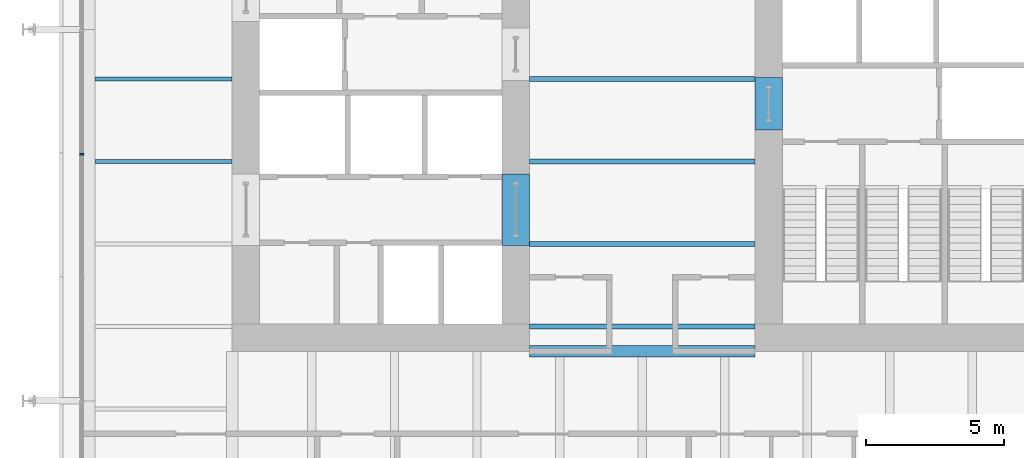
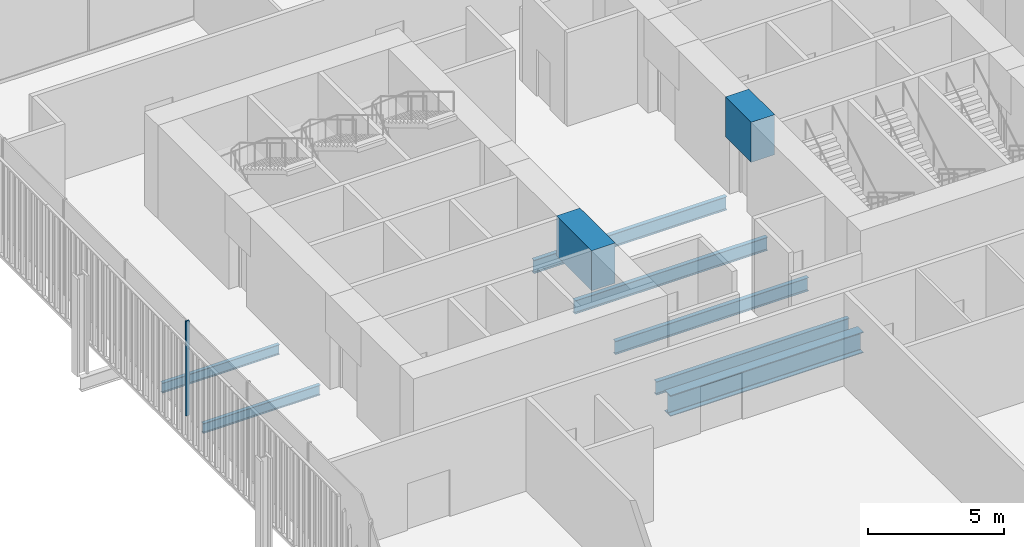
# One storey, part 7 of 20: 9 beams, 1 member, 1 element without a shape of its own.
"""IFC4 building model written with IfcOpenShell, lengths in metres."""

import ifcopenshell
import ifcopenshell.guid

model = None  # the IFC model being written
_history = None  # IfcOwnerHistory: only IFC2X3 demands one
_inside = {}  # id of a spatial element -> (the spatial element, [elements in it])
_under = {}  # id of a project, library or spatial element -> (it, [spatial elements below it])
_declared = {}  # id of a project -> (the project, [libraries it declares])
_typed = {}  # id of a type object -> (the type object, [elements of that type])
_made_of = {}  # id of a material, layer set ... -> (it, [elements and type objects made of it])


def new_model(schema):
    """Start an empty IFC model of exactly this schema.

    Asked for "IFC4X3", IfcOpenShell would pick the latest addendum, in which some entities
    have other attributes; the version numbers below select the first issue.
    IFC2X3 requires an IfcOwnerHistory on every rooted entity: one is made here for all.
    """
    global model, _history
    if schema == "IFC4X3":
        model = ifcopenshell.file(schema_version=(4, 3, 0, 0))
    else:
        model = ifcopenshell.file(schema=schema)
    _inside.clear()
    _under.clear()
    _declared.clear()
    _typed.clear()
    _made_of.clear()
    _history = None
    if model.schema == "IFC2X3":
        org = make("IfcOrganization", Name="unknown")
        user = make(
            "IfcPersonAndOrganization",
            ThePerson=make("IfcPerson", FamilyName="unknown"),
            TheOrganization=org,
        )
        app = make(
            "IfcApplication",
            ApplicationDeveloper=org,
            Version="unknown",
            ApplicationFullName="unknown",
            ApplicationIdentifier="unknown",
        )
        _history = make(
            "IfcOwnerHistory",
            OwningUser=user,
            OwningApplication=app,
            ChangeAction="ADDED",
            CreationDate=0,
        )
    return model


def make(cls, **values):
    """One entity of the class cls with the attributes given. An attribute that is None is left unset."""
    return model.create_entity(
        cls, **{name: value for name, value in values.items() if value is not None}
    )


def rooted(cls, **values):
    """An entity with a GlobalId (a new one), such as an element, a storey or a relation."""
    return make(cls, GlobalId=ifcopenshell.guid.new(), OwnerHistory=_history, **values)


def si_unit(unit_type, name, prefix=None):
    """IfcSIUnit, for example si_unit("LENGTHUNIT", "METRE", prefix="MILLI")."""
    return make("IfcSIUnit", UnitType=unit_type, Prefix=prefix, Name=name)


def assignment(units):
    """IfcUnitAssignment: the units of a project."""
    return None if units is None else make("IfcUnitAssignment", Units=units)


def point(xyz):
    """IfcCartesianPoint."""
    return None if xyz is None else make("IfcCartesianPoint", Coordinates=xyz)


def direction(xyz):
    """IfcDirection."""
    return None if xyz is None else make("IfcDirection", DirectionRatios=xyz)


def frame(location, z_axis=None, x_axis=None):
    """IfcAxis2Placement3D, a coordinate frame: its origin and axes. An axis left out is left unset."""
    return make(
        "IfcAxis2Placement3D",
        Location=point(location),
        Axis=direction(z_axis),
        RefDirection=direction(x_axis),
    )


def frame_2d(location, x_axis=None):
    """IfcAxis2Placement2D, a coordinate frame in the plane: its origin and x axis."""
    return make(
        "IfcAxis2Placement2D", Location=point(location), RefDirection=direction(x_axis)
    )


def origin():
    """The frame at (0, 0, 0) with its axes left unset."""
    return frame((0.0, 0.0, 0.0))


def origin_2d():
    """The frame at (0, 0) in the plane with its x axis left unset."""
    return frame_2d((0.0, 0.0))


def place(relative_to, where):
    """IfcLocalPlacement: puts the frame where relative to a parent placement (None: the world)."""
    return make(
        "IfcLocalPlacement", PlacementRelTo=relative_to, RelativePlacement=where
    )


def context(
    kind, dimensions, precision=None, world=None, true_north=None, identifier=None
):
    """IfcGeometricRepresentationContext, for example the 3D "Model" context."""
    return make(
        "IfcGeometricRepresentationContext",
        ContextIdentifier=identifier,
        ContextType=kind,
        CoordinateSpaceDimension=dimensions,
        Precision=precision,
        WorldCoordinateSystem=world,
        TrueNorth=true_north,
    )


def subcontext(parent, identifier, kind, view, scale=None):
    """IfcGeometricRepresentationSubContext, for example "Body" below "Model"."""
    return make(
        "IfcGeometricRepresentationSubContext",
        ContextIdentifier=identifier,
        ContextType=kind,
        ParentContext=parent,
        TargetScale=scale,
        TargetView=view,
    )


def project(units=None, contexts=None):
    """IfcProject with its units and contexts."""
    return rooted(
        "IfcProject",
        Name="project",
        RepresentationContexts=contexts,
        UnitsInContext=assignment(units),
    )


def spatial(cls, under=None, at=None, **own):
    """A site, building, storey or space (cls), placed at a placement, below another one or the project."""
    s = rooted(cls, ObjectPlacement=at, **own)
    if under is not None:
        _under.setdefault(under.id(), (under, []))[1].append(s)
    return s


def profile(cls, at=None, kind="AREA", **sizes):
    """A parametric profile (cls). Its sizes go by their IFC names, for example OverallWidth=200.0."""
    return make(cls, ProfileType=kind, Position=at, **sizes)


def rectangle(**sizes):
    """IfcRectangleProfileDef."""
    return profile("IfcRectangleProfileDef", **sizes)


def i_section(**sizes):
    """IfcIShapeProfileDef."""
    return profile("IfcIShapeProfileDef", **sizes)


def extrude(swept, where, along, depth):
    """IfcExtrudedAreaSolid: the profile swept, set in the frame where, extruded along a direction by depth."""
    return make(
        "IfcExtrudedAreaSolid",
        SweptArea=swept,
        Position=where,
        ExtrudedDirection=direction(along),
        Depth=depth,
    )


def shape(context_of_items, identifier, shape_type, items):
    """IfcShapeRepresentation: the items that make up one representation, for example the "Body"."""
    return make(
        "IfcShapeRepresentation",
        ContextOfItems=context_of_items,
        RepresentationIdentifier=identifier,
        RepresentationType=shape_type,
        Items=items,
    )


def material(Name=None, Category=None):
    """IfcMaterial."""
    return make("IfcMaterial", Name=Name, Category=Category)


def layer(
    of_material, thickness, ventilated=None, Name=None, Category=None, Priority=None
):
    """IfcMaterialLayer: one layer of a wall or slab, of a material (None: an air gap)."""
    return make(
        "IfcMaterialLayer",
        Material=of_material,
        LayerThickness=thickness,
        IsVentilated=ventilated,
        Name=Name,
        Category=Category,
        Priority=Priority,
    )


def layer_set(layers, Name=None):
    """IfcMaterialLayerSet."""
    return make("IfcMaterialLayerSet", MaterialLayers=layers, LayerSetName=Name)


def material_profile(
    of_material, cross_section, Name=None, Category=None, Priority=None
):
    """IfcMaterialProfile: a cross section and its material."""
    return make(
        "IfcMaterialProfile",
        Name=Name,
        Material=of_material,
        Profile=cross_section,
        Priority=Priority,
        Category=Category,
    )


def profile_set(profiles, Name=None, composite=None):
    """IfcMaterialProfileSet."""
    return make(
        "IfcMaterialProfileSet",
        Name=Name,
        MaterialProfiles=profiles,
        CompositeProfile=composite,
    )


def made_of(thing, what):
    """Note that an element or type object is made of a material, layer set ...; save() writes the relation."""
    if what is not None:
        _made_of.setdefault(what.id(), (what, []))[1].append(thing)
    return thing


def type_object(cls, material=None, **own):
    """A type object (cls), such as IfcWallType, which elements share."""
    return made_of(rooted(cls, **own), material)


def element(
    cls,
    number,
    at=None,
    inside=None,
    cuts=None,
    type_object=None,
    material=None,
    context=None,
    identifier="Body",
    shape_type=None,
    held_by="IfcProductDefinitionShape",
    body=None,
    shapes=None,
    **own,
):
    """One element of the class cls, such as IfcWall. Its Tag is "e" and its number.

    at: its placement. inside: the storey or other place that contains it. cuts: it is an
    opening in that element (IfcRelVoidsElement). A single representation is given by context,
    identifier, shape_type and body (its items); several are given by shapes. held_by: the class
    of the entity that holds the representations. save() writes the other relations.
    """
    e = rooted(cls, Tag="e%d" % number, ObjectPlacement=at, **own)
    if body is not None:
        shapes = [shape(context, identifier, shape_type, body)]
    if shapes is not None:
        e.Representation = make(held_by, Representations=shapes)
    if inside is not None:
        _inside.setdefault(inside.id(), (inside, []))[1].append(e)
    if cuts is not None:
        rooted(
            "IfcRelVoidsElement", RelatingBuildingElement=cuts, RelatedOpeningElement=e
        )
    if type_object is not None:
        _typed.setdefault(type_object.id(), (type_object, []))[1].append(e)
    return made_of(e, material)


def aggregate(whole, parts):
    """IfcRelAggregates: a whole, such as a stair, and the parts it consists of."""
    return rooted("IfcRelAggregates", RelatingObject=whole, RelatedObjects=parts)


def save(model, path):
    """Write the relations noted so far, then the file.

    IfcRelAggregates (storeys below a building ...), IfcRelContainedInSpatialStructure (elements
    in a storey), IfcRelDefinesByType, IfcRelAssociatesMaterial and IfcRelDeclares: one each for
    every whole, place, type object, material and project.
    """
    for whole, parts in _under.values():
        aggregate(whole, parts)
    for where, things in _inside.values():
        rooted(
            "IfcRelContainedInSpatialStructure",
            RelatedElements=things,
            RelatingStructure=where,
        )
    for kind, things in _typed.values():
        rooted("IfcRelDefinesByType", RelatedObjects=things, RelatingType=kind)
    for what, things in _made_of.values():
        rooted("IfcRelAssociatesMaterial", RelatedObjects=things, RelatingMaterial=what)
    for by, libraries in _declared.values():
        rooted("IfcRelDeclares", RelatingContext=by, RelatedDefinitions=libraries)
    model.write(path)


model = new_model("IFC4")

# Units and contexts
model_context = context("Model", 3, precision=1e-05, world=origin(), true_north=direction((0.0, 1.0)))
body_context = subcontext(model_context, "Body", "Model", "MODEL_VIEW")
ifc_project = project(units=[si_unit("LENGTHUNIT", "METRE"), si_unit("AREAUNIT", "SQUARE_METRE"), si_unit("VOLUMEUNIT", "CUBIC_METRE"), si_unit("PLANEANGLEUNIT", "RADIAN"), si_unit("MASSUNIT", "GRAM", prefix="KILO")], contexts=[model_context])

# Site, building, storey
site_placement = place(None, origin())
site = spatial("IfcSite", under=ifc_project, at=site_placement, CompositionType="ELEMENT")
building_placement = place(site_placement, origin())
building = spatial("IfcBuilding", under=site, at=building_placement, Name="Millrace Tower", CompositionType="ELEMENT")
storey_placement = place(building_placement, frame((0.0, 0.0, 77.60009765625)))
storey = spatial("IfcBuildingStorey", under=building, at=storey_placement, Name="L17", CompositionType="ELEMENT", Elevation=77.60009765625)

# Curtain wall, member
ifc_material_1 = material(Name="Aluminium and glass", Category="aluminium")
ifc_layer = layer(ifc_material_1, 0.14990234375)
ifc_layer_set = layer_set([ifc_layer], Name="Aluminium and glass")
curtain_wall_type = type_object("IfcCurtainWallType", Name="CW-3 telecom floor curtain wall", PredefinedType="NOTDEFINED", material=ifc_layer_set)
curtain_wall_placement = place(storey_placement, origin())
curtain_wall = element("IfcCurtainWall", 1, at=curtain_wall_placement, inside=storey, type_object=curtain_wall_type, Name="Curtain wall B-F08 L17", PredefinedType="NOTDEFINED")
ifc_material_2 = material(Name="Aluminium", Category="aluminium")
ifc_material_profile_1 = material_profile(ifc_material_2, rectangle(XDim=0.06494140625, YDim=0.14990234375, at=origin_2d()))
ifc_profile_set_1 = profile_set([ifc_material_profile_1], Name="Aluminium")
member_type = type_object("IfcMemberType", Name="CW-3 telecom floor curtain wall mullion", PredefinedType="MULLION", material=ifc_profile_set_1)
member_placement = place(storey_placement, frame((-20.375, -2.732421875, 0.14990234375), z_axis=(0.0, 0.0, 1.0), x_axis=(0.0, -1.0, 0.0)))
member = element("IfcMember", 2, at=member_placement, type_object=member_type, Name="CW3 mullion B-F08.5", PredefinedType="MULLION", context=body_context, shape_type="SweptSolid", body=[
    extrude(rectangle(XDim=0.06494140625, YDim=0.14990234375, at=origin_2d()), origin(), (0.0, 0.0, 1.0), 4.25),
])
aggregate(curtain_wall, [member])

# Beams
ifc_material_3 = material(Name="Concrete C80", Category="concrete")
ifc_material_profile_2 = material_profile(ifc_material_3, rectangle(XDim=1.0, YDim=1.800048828125, at=origin_2d()))
ifc_profile_set_2 = profile_set([ifc_material_profile_2], Name="Concrete C80")
beam_type_1 = type_object("IfcBeamType", Name="Coupling beam 1000 x 1800 Concrete C80, 1300 opening", PredefinedType="BEAM", material=ifc_profile_set_2)
beam_1_placement = place(storey_placement, frame((4.60009765625, 0.050048828125, 3.2998046875), z_axis=(0.0, -1.0, 0.0), x_axis=(1.0, 0.0, 0.0)))
element("IfcBeam", 3, at=beam_1_placement, inside=storey, type_object=beam_type_1, Name="Coupling beam E L17", PredefinedType="BEAM", context=body_context, shape_type="SweptSolid", body=[
    extrude(rectangle(XDim=1.0, YDim=1.800048828125, at=origin_2d()), origin(), (0.0, 0.0, 1.0), 1.900146484375),
])
ifc_material_4 = material(Name="Concrete C80", Category="concrete")
ifc_material_profile_3 = material_profile(ifc_material_4, rectangle(XDim=1.0, YDim=1.800048828125, at=origin_2d()))
ifc_profile_set_3 = profile_set([ifc_material_profile_3], Name="Concrete C80")
beam_type_2 = type_object("IfcBeamType", Name="Coupling beam 1000 x 1800 Concrete C80, 2000 opening", PredefinedType="BEAM", material=ifc_profile_set_3)
beam_2_placement = place(storey_placement, frame((-4.60009765625, -6.050048828125, 3.2998046875), z_axis=(0.0, 1.0, 0.0), x_axis=(-1.0, 0.0, 0.0)))
element("IfcBeam", 4, at=beam_2_placement, inside=storey, type_object=beam_type_2, Name="Coupling beam W L17", PredefinedType="BEAM", context=body_context, shape_type="SweptSolid", body=[
    extrude(rectangle(XDim=1.0, YDim=1.800048828125, at=origin_2d()), origin(), (0.0, 0.0, 1.0), 2.60009765625),
])
ifc_material_5 = material(Name="Steel ASTM A992 Grade 50", Category="steel")
ifc_material_profile_4 = material_profile(ifc_material_5, i_section(OverallWidth=0.15234375, OverallDepth=0.449462890625, WebThickness=0.007568359375, FlangeThickness=0.0107421875, FilletRadius=0.01025390625, at=origin_2d()))
ifc_profile_set_4 = profile_set([ifc_material_profile_4], Name="Steel ASTM A992 Grade 50")
beam_type_3 = type_object("IfcBeamType", Name="Floor beam W18x35", PredefinedType="JOIST", material=ifc_profile_set_4)
for number, where, z_axis, x_axis, name in (
    (5, (-19.880859375, -3.0, -0.4248046875), (1.0, 0.0, 0.0), (0.0, 1.0, 0.0), "BM-B-L17-S1-S020"),
    (6, (-19.880859375, 0.0, -0.4248046875), (1.0, 0.0, 0.0), (0.0, 1.0, 0.0), "BM-B-L17-S1-S023"),
):
    element("IfcBeam", number, at=place(storey_placement, frame(where, z_axis=z_axis, x_axis=x_axis)), inside=storey, type_object=beam_type_3, Name=name, PredefinedType="JOIST", context=body_context, shape_type="SweptSolid", body=[
        extrude(i_section(OverallWidth=0.15234375, OverallDepth=0.449462890625, WebThickness=0.007568359375, FlangeThickness=0.0107421875, FilletRadius=0.01025390625, at=origin_2d()), origin(), (0.0, 0.0, 1.0), 4.98095703125),
    ])
ifc_material_6 = material(Name="Steel ASTM A992 Grade 50", Category="steel")
ifc_material_profile_5 = material_profile(ifc_material_6, i_section(OverallWidth=0.177978515625, OverallDepth=0.599365234375, WebThickness=0.010009765625, FlangeThickness=0.012939453125, FilletRadius=0.012939453125, at=origin_2d()))
ifc_profile_set_5 = profile_set([ifc_material_profile_5], Name="Steel ASTM A992 Grade 50")
beam_type_4 = type_object("IfcBeamType", Name="Floor beam W24x55", PredefinedType="JOIST", material=ifc_profile_set_5)
for number, where, z_axis, x_axis, name in (
    (7, (-4.10009765625, -9.0, -0.499755859375), (1.0, 0.0, 0.0), (0.0, 1.0, 0.0), "BM-B-L17-S1-S013"),
    (8, (-4.10009765625, -6.0, -0.499755859375), (1.0, 0.0, 0.0), (0.0, 1.0, 0.0), "BM-B-L17-S1-S016"),
    (9, (-4.10009765625, -3.0, -0.499755859375), (1.0, 0.0, 0.0), (0.0, 1.0, 0.0), "BM-B-L17-S1-S019"),
    (10, (-4.10009765625, 0.0, -0.499755859375), (1.0, 0.0, 0.0), (0.0, 1.0, 0.0), "BM-B-L17-S1-S022"),
):
    element("IfcBeam", number, at=place(storey_placement, frame(where, z_axis=z_axis, x_axis=x_axis)), inside=storey, type_object=beam_type_4, Name=name, PredefinedType="JOIST", context=body_context, shape_type="SweptSolid", body=[
        extrude(i_section(OverallWidth=0.177978515625, OverallDepth=0.599365234375, WebThickness=0.010009765625, FlangeThickness=0.012939453125, FilletRadius=0.012939453125, at=origin_2d()), origin(), (0.0, 0.0, 1.0), 8.2001953125),
    ])
ifc_material_7 = material(Name="Steel ASTM A992 Grade 50", Category="steel")
ifc_material_profile_6 = material_profile(ifc_material_7, i_section(OverallWidth=0.421630859375, OverallDepth=0.937255859375, WebThickness=0.021240234375, FlangeThickness=0.03662109375, FilletRadius=0.024169921875, at=origin_2d()))
ifc_profile_set_6 = profile_set([ifc_material_profile_6], Name="Steel ASTM A992 Grade 50")
beam_type_5 = type_object("IfcBeamType", Name="Girder short span W36x262", PredefinedType="BEAM", material=ifc_profile_set_6)
beam_3_placement = place(storey_placement, frame((-4.10009765625, -9.89990234375, -0.668701171875), z_axis=(1.0, 0.0, 0.0), x_axis=(0.0, 1.0, 0.0)))
element("IfcBeam", 11, at=beam_3_placement, inside=storey, type_object=beam_type_5, Name="BM-B-L17-S1-G063", PredefinedType="BEAM", context=body_context, shape_type="SweptSolid", body=[
    extrude(i_section(OverallWidth=0.421630859375, OverallDepth=0.937255859375, WebThickness=0.021240234375, FlangeThickness=0.03662109375, FilletRadius=0.024169921875, at=origin_2d()), origin(), (0.0, 0.0, 1.0), 8.2001953125),
])

save(model, "model.ifc")
